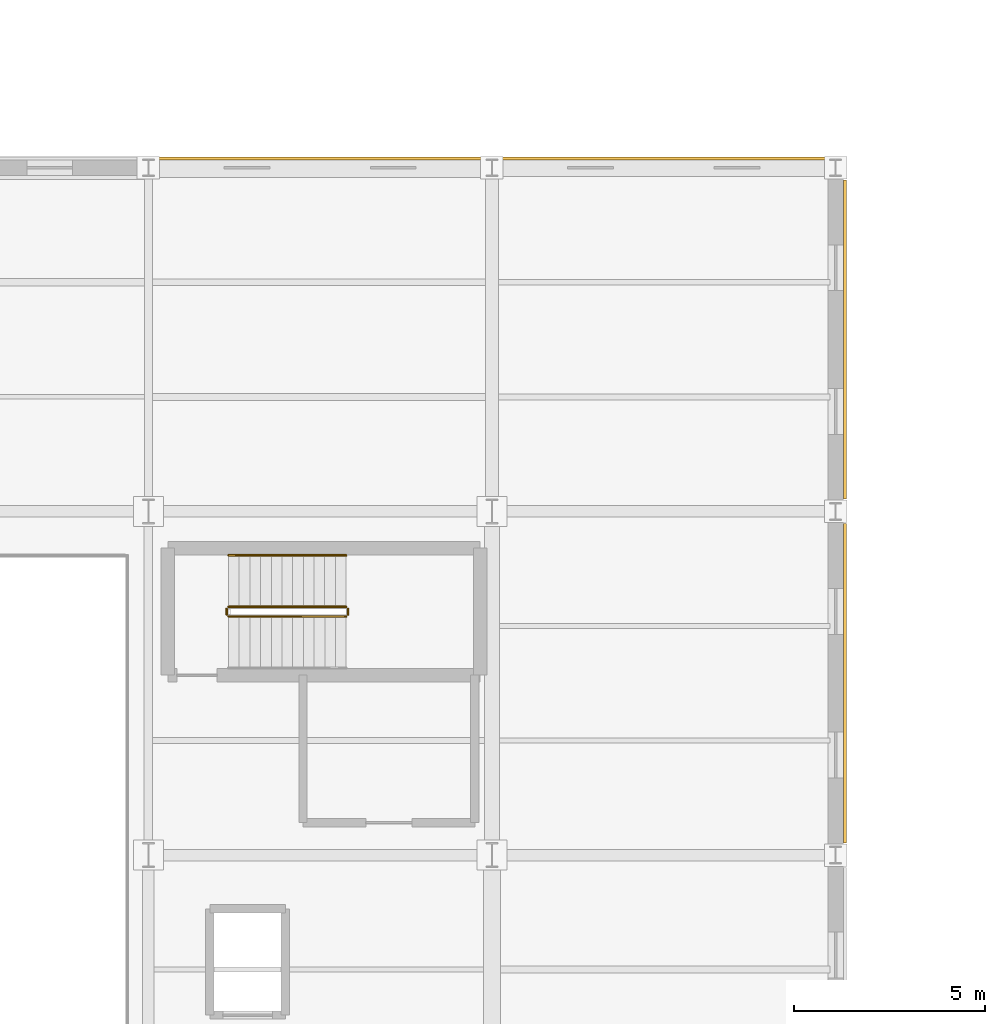
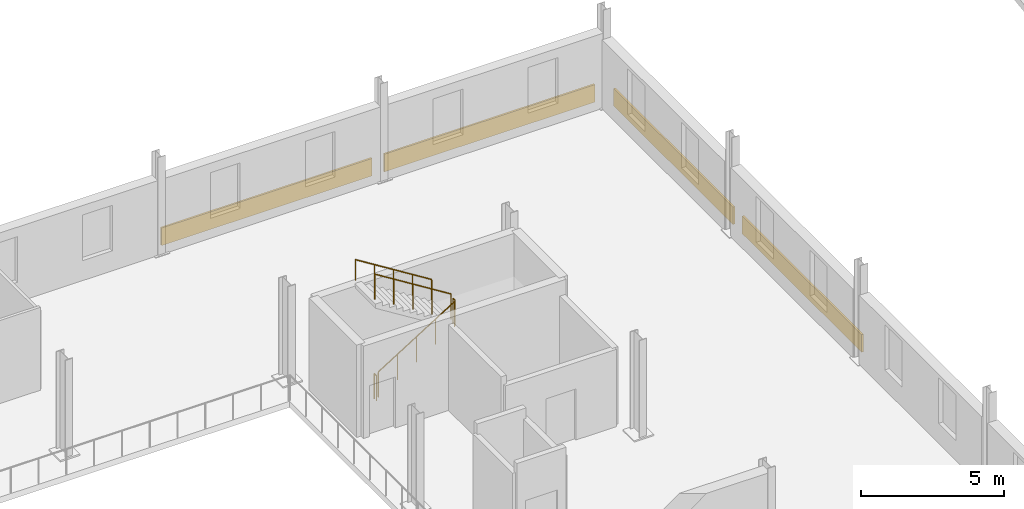
# One storey, part 17 of 17: 5 railings, 4 coverings.
"""IFC4 building model written with IfcOpenShell, lengths in metres."""

from ifc_helpers import new_model, si_unit, direction, frame, origin, origin_2d, place, context, subcontext, project, spatial, rectangle, circle, extrude, material, layer, layer_set, type_object, element, save


model = new_model("IFC4")

# Units and contexts
model_context = context("Model", 3, precision=1e-05, world=origin(), true_north=direction((0.0, 1.0)))
body_context = subcontext(model_context, "Body", "Model", "MODEL_VIEW")
ifc_project = project(units=[si_unit("LENGTHUNIT", "METRE"), si_unit("AREAUNIT", "SQUARE_METRE"), si_unit("VOLUMEUNIT", "CUBIC_METRE"), si_unit("PLANEANGLEUNIT", "RADIAN"), si_unit("MASSUNIT", "GRAM", prefix="KILO")], contexts=[model_context])

# Site, building, storey
site_placement = place(None, origin())
site = spatial("IfcSite", under=ifc_project, at=site_placement, CompositionType="ELEMENT")
building_placement = place(site_placement, origin())
building = spatial("IfcBuilding", under=site, at=building_placement, Name="Sundgate Opera House", CompositionType="ELEMENT")
storey_placement = place(building_placement, frame((0.0, 0.0, 26.39990234375)))
storey = spatial("IfcBuildingStorey", under=building, at=storey_placement, Name="L05", CompositionType="ELEMENT", Elevation=26.39990234375)

# Coverings
ifc_material_1 = material(Name="Deep-carved Komstad limestone relief panel", Category="masonry")
ifc_layer_1 = layer(ifc_material_1, 0.094970703125)
ifc_layer_set_1 = layer_set([ifc_layer_1], Name="Deep-carved Komstad limestone relief panel")
covering_type_1 = type_object("IfcCoveringType", Name="CV-TRENC-DEEP", PredefinedType="CLADDING", material=ifc_layer_set_1)
covering_1_placement = place(storey_placement, frame((67.5, 87.242431640625, 0.045166015625), z_axis=(0.0, 0.0, 1.0), x_axis=(1.0, 0.0, 0.0)))
element("IfcCovering", 1, at=covering_1_placement, inside=storey, type_object=covering_type_1, Name="L05 Trencadis 750mm Relief Band CV0082", PredefinedType="CLADDING", context=body_context, shape_type="SweptSolid", body=[
    extrude(rectangle(XDim=8.510009765625, YDim=0.074951171875, at=origin_2d()), origin(), (0.0, 0.0, 1.0), 0.75),
])
covering_2_placement = place(storey_placement, frame((81.242431640625, 73.5, 0.045166015625), z_axis=(0.0, 0.0, 1.0), x_axis=(0.0, 1.0, 0.0)))
element("IfcCovering", 2, at=covering_2_placement, inside=storey, type_object=covering_type_1, Name="L05 Trencadis 750mm Relief Band CV0094", PredefinedType="CLADDING", context=body_context, shape_type="SweptSolid", body=[
    extrude(rectangle(XDim=8.360107421875, YDim=0.074951171875, at=origin_2d()), origin(), (0.0, 0.0, 1.0), 0.75),
])
ifc_material_2 = material(Name="Polychrome trencadis mosaic panel", Category="masonry")
ifc_layer_2 = layer(ifc_material_2, 0.054931640625)
ifc_layer_set_2 = layer_set([ifc_layer_2], Name="Polychrome trencadis mosaic panel")
covering_type_2 = type_object("IfcCoveringType", Name="CV-TRENC-SLIM", PredefinedType="CLADDING", material=ifc_layer_set_2)
covering_3_placement = place(storey_placement, frame((76.5, 87.242431640625, 0.045166015625), z_axis=(0.0, 0.0, 1.0), x_axis=(1.0, 0.0, 0.0)))
element("IfcCovering", 3, at=covering_3_placement, inside=storey, type_object=covering_type_2, Name="L05 Trencadis 750mm Relief Band CV0084", PredefinedType="CLADDING", context=body_context, shape_type="SweptSolid", body=[
    extrude(rectangle(XDim=8.510009765625, YDim=0.074951171875, at=origin_2d()), origin(), (0.0, 0.0, 1.0), 0.75),
])
covering_4_placement = place(storey_placement, frame((81.242431640625, 82.5, 0.045166015625), z_axis=(0.0, 0.0, 1.0), x_axis=(0.0, 1.0, 0.0)))
element("IfcCovering", 4, at=covering_4_placement, inside=storey, type_object=covering_type_2, Name="L05 Trencadis 750mm Relief Band CV0096", PredefinedType="CLADDING", context=body_context, shape_type="SweptSolid", body=[
    extrude(rectangle(XDim=8.360107421875, YDim=0.074951171875, at=origin_2d()), origin(), (0.0, 0.0, 1.0), 0.75),
])

# Railings
ifc_material_3 = material(Name="Painted steel S275 guardrail", Category="steel")
railing_type_1 = type_object("IfcRailingType", Name="RL-STAIR-GUARD-1100", PredefinedType="GUARDRAIL", material=ifc_material_3)
railing_1_placement = place(storey_placement, frame((65.10009765625, 75.25, 0.175048828125)))
element("IfcRailing", 5, at=railing_1_placement, inside=storey, type_object=railing_type_1, Name="ST04L05 Guardrail RL0169", PredefinedType="GUARDRAIL", context=body_context, shape_type="SweptSolid", body=[
    extrude(circle(Radius=0.02392578125, at=origin_2d()), frame((0.0, 0.0, 1.076171875), z_axis=(0.847979421464, 0.0, 0.530029150871), x_axis=(0.0, 1.0, 0.0)), (0.0, 0.0, 1.0), 3.632080078125),
    extrude(circle(Radius=0.02099609375, at=origin_2d()), origin(), (0.0, 0.0, 1.0), 1.052001953125),
    extrude(circle(Radius=0.02099609375, at=origin_2d()), frame((0.77001953125, 0.0, 0.481201171875)), (0.0, 0.0, 1.0), 1.052001953125),
    extrude(circle(Radius=0.02099609375, at=origin_2d()), frame((1.5400390625, 0.0, 0.96240234375)), (0.0, 0.0, 1.0), 1.052001953125),
    extrude(circle(Radius=0.02099609375, at=origin_2d()), frame((2.309814453125, 0.0, 1.44384765625)), (0.0, 0.0, 1.0), 1.052001953125),
    extrude(circle(Radius=0.02099609375, at=origin_2d()), frame((3.079833984375, 0.0, 1.925048828125)), (0.0, 0.0, 1.0), 1.052001953125),
])
railing_2_placement = place(storey_placement, frame((68.22998046875, 75.300048828125, 2.10009765625)))
element("IfcRailing", 6, at=railing_2_placement, inside=storey, type_object=railing_type_1, Name="ST04L05 Guardrail RL0170", PredefinedType="GUARDRAIL", context=body_context, shape_type="SweptSolid", body=[
    extrude(circle(Radius=0.02392578125, at=origin_2d()), frame((0.0, 0.0, 1.076171875), z_axis=(0.0, 1.0, 0.0), x_axis=(-1.0, 0.0, 0.0)), (0.0, 0.0, 1.0), 0.14990234375),
    extrude(circle(Radius=0.02099609375, at=origin_2d()), origin(), (0.0, 0.0, 1.0), 1.052001953125),
    extrude(circle(Radius=0.02099609375, at=origin_2d()), frame((0.0, 0.14990234375, 0.0)), (0.0, 0.0, 1.0), 1.052001953125),
])
railing_3_placement = place(storey_placement, frame((68.179931640625, 75.5, 2.275146484375)))
element("IfcRailing", 7, at=railing_3_placement, inside=storey, type_object=railing_type_1, Name="ST04L05 Guardrail RL0171", PredefinedType="GUARDRAIL", context=body_context, shape_type="SweptSolid", body=[
    extrude(circle(Radius=0.02392578125, at=origin_2d()), frame((0.0, 0.0, 1.076171875), z_axis=(-0.847979421464, 0.0, 0.530029150871), x_axis=(0.0, -1.0, 0.0)), (0.0, 0.0, 1.0), 3.632080078125),
    extrude(circle(Radius=0.02099609375, at=origin_2d()), origin(), (0.0, 0.0, 1.0), 1.052001953125),
    extrude(circle(Radius=0.02099609375, at=origin_2d()), frame((-0.77001953125, 0.0, 0.481201171875)), (0.0, 0.0, 1.0), 1.052001953125),
    extrude(circle(Radius=0.02099609375, at=origin_2d()), frame((-1.5400390625, 0.0, 0.96240234375)), (0.0, 0.0, 1.0), 1.052001953125),
    extrude(circle(Radius=0.02099609375, at=origin_2d()), frame((-2.309814453125, 0.0, 1.44384765625)), (0.0, 0.0, 1.0), 1.052001953125),
    extrude(circle(Radius=0.02099609375, at=origin_2d()), frame((-3.079833984375, 0.0, 1.925048828125)), (0.0, 0.0, 1.0), 1.052001953125),
])
railing_4_placement = place(storey_placement, frame((65.050048828125, 75.300048828125, 0.0)))
element("IfcRailing", 8, at=railing_4_placement, inside=storey, type_object=railing_type_1, Name="ST04L05 Guardrail RL0172", PredefinedType="GUARDRAIL", context=body_context, shape_type="SweptSolid", body=[
    extrude(circle(Radius=0.02392578125, at=origin_2d()), frame((0.0, 0.0, 1.076171875), z_axis=(0.0, 1.0, 0.0), x_axis=(-1.0, 0.0, 0.0)), (0.0, 0.0, 1.0), 0.14990234375),
    extrude(circle(Radius=0.02099609375, at=origin_2d()), origin(), (0.0, 0.0, 1.0), 1.052001953125),
    extrude(circle(Radius=0.02099609375, at=origin_2d()), frame((0.0, 0.14990234375, 0.0)), (0.0, 0.0, 1.0), 1.052001953125),
])
ifc_material_4 = material(Name="Brushed stainless steel handrail", Category="steel")
railing_type_2 = type_object("IfcRailingType", Name="RL-STAIR-HAND-900", PredefinedType="HANDRAIL", material=ifc_material_4)
railing_5_placement = place(storey_placement, frame((68.179931640625, 76.85009765625, 2.275146484375)))
element("IfcRailing", 9, at=railing_5_placement, inside=storey, type_object=railing_type_2, Name="ST04L05 Handrail RL0174", PredefinedType="HANDRAIL", context=body_context, shape_type="SweptSolid", body=[
    extrude(circle(Radius=0.02392578125, at=origin_2d()), frame((0.0, 0.0, 0.8759765625), z_axis=(-0.847979421464, 0.0, 0.530029150871), x_axis=(0.0, -1.0, 0.0)), (0.0, 0.0, 1.0), 3.632080078125),
    extrude(circle(Radius=0.02099609375, at=origin_2d()), origin(), (0.0, 0.0, 1.0), 0.851806640625),
    extrude(circle(Radius=0.02099609375, at=origin_2d()), frame((-0.77001953125, 0.0, 0.481201171875)), (0.0, 0.0, 1.0), 0.851806640625),
    extrude(circle(Radius=0.02099609375, at=origin_2d()), frame((-1.5400390625, 0.0, 0.96240234375)), (0.0, 0.0, 1.0), 0.851806640625),
    extrude(circle(Radius=0.02099609375, at=origin_2d()), frame((-2.309814453125, 0.0, 1.44384765625)), (0.0, 0.0, 1.0), 0.851806640625),
    extrude(circle(Radius=0.02099609375, at=origin_2d()), frame((-3.079833984375, 0.0, 1.925048828125)), (0.0, 0.0, 1.0), 0.851806640625),
])

save(model, "model.ifc")
